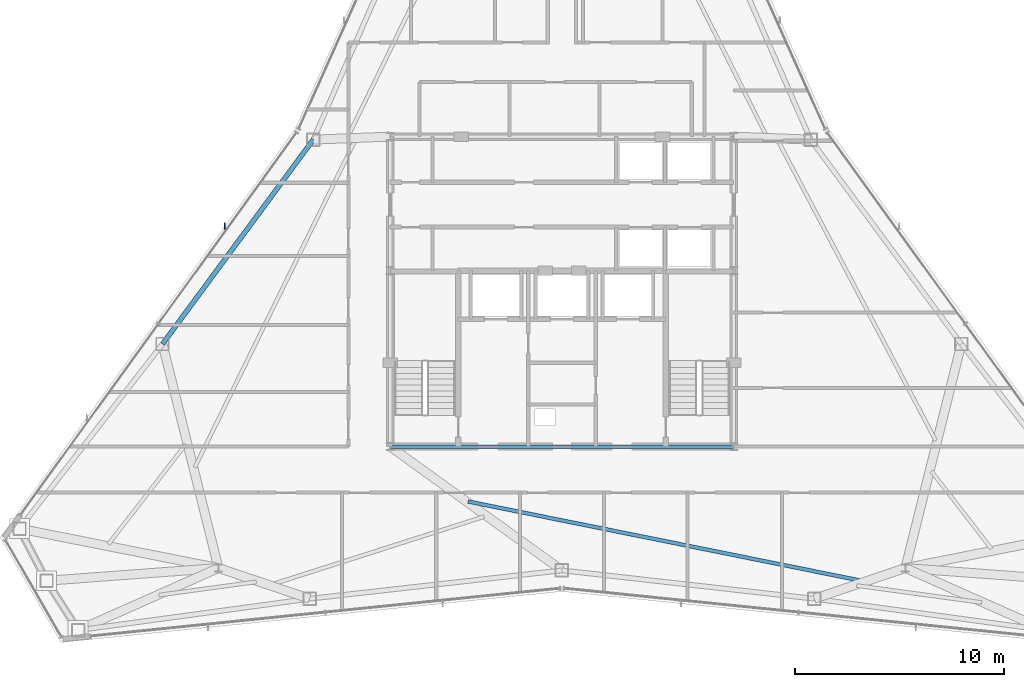
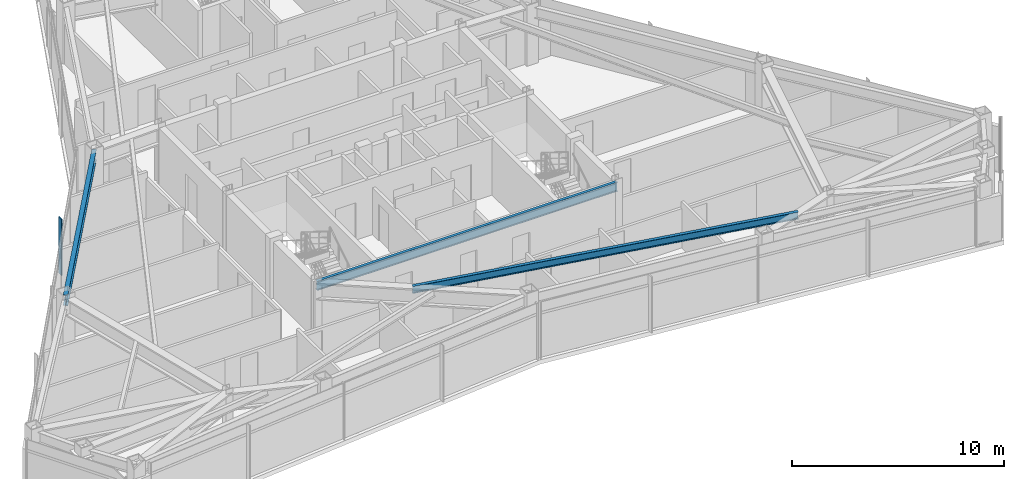
# One storey, part 4 of 12: 3 beams, 1 member, 1 element without a shape of its own.
"""IFC4 building model written with IfcOpenShell, lengths in metres."""

from ifc_helpers import new_model, si_unit, direction, frame, origin, origin_2d, place, context, subcontext, project, spatial, rectangle, i_section, extrude, source, transform, mapped, material, layer, layer_set, material_profile, profile_set, type_object, type_shapes, element, aggregate, save


model = new_model("IFC4")

# Units and contexts
model_context = context("Model", 3, precision=1e-05, world=origin(), true_north=direction((0.0, 1.0)))
body_context = subcontext(model_context, "Body", "Model", "MODEL_VIEW")
ifc_project = project(units=[si_unit("LENGTHUNIT", "METRE"), si_unit("AREAUNIT", "SQUARE_METRE"), si_unit("VOLUMEUNIT", "CUBIC_METRE"), si_unit("PLANEANGLEUNIT", "RADIAN"), si_unit("MASSUNIT", "GRAM", prefix="KILO")], contexts=[model_context])

# Site, building, storey
site_placement = place(None, origin())
site = spatial("IfcSite", under=ifc_project, at=site_placement, CompositionType="ELEMENT")
building_placement = place(site_placement, origin())
building = spatial("IfcBuilding", under=site, at=building_placement, Name="Varakhsha Concourse Tower", CompositionType="ELEMENT")
storey_placement = place(building_placement, frame((0.0, 0.0, 262.0)))
storey = spatial("IfcBuildingStorey", under=building, at=storey_placement, Name="L74", CompositionType="ELEMENT", Elevation=262.0)

# Beams
ifc_material_1 = material(Name="Structural Steel ASTM A992 Grade 50", Category="steel")
ifc_material_profile_1 = material_profile(ifc_material_1, i_section(OverallWidth=0.177978515625, OverallDepth=0.406982421875, WebThickness=0.008056640625, FlangeThickness=0.012939453125, at=origin_2d()), Name="W16X40")
ifc_profile_set_1 = profile_set([ifc_material_profile_1], Name="Structural Steel ASTM A992 Grade 50")
beam_type_1 = type_object("IfcBeamType", Name="BM-JST-W16X40", PredefinedType="JOIST", material=ifc_profile_set_1)
beam_1_placement = place(storey_placement, frame((35.515869140625, 13.77734375, 3.04638671875), z_axis=(0.980297103214, -0.197528705334, 0.0), x_axis=(0.197528705334, 0.980297103214, 0.0)))
element("IfcBeam", 1, at=beam_1_placement, inside=storey, type_object=beam_type_1, Name="BM-TJST-L74-11", PredefinedType="JOIST", context=body_context, shape_type="SweptSolid", body=[
    extrude(i_section(OverallWidth=0.177978515625, OverallDepth=0.406982421875, WebThickness=0.008056640625, FlangeThickness=0.012939453125, at=origin_2d()), origin(), (0.0, 0.0, 1.0), 19.24169921875),
])
ifc_material_profile_2 = material_profile(ifc_material_1, i_section(OverallWidth=0.1669921875, OverallDepth=0.534912109375, WebThickness=0.010009765625, FlangeThickness=0.01708984375, at=origin_2d()), Name="W21X57")
ifc_profile_set_2 = profile_set([ifc_material_profile_2], Name="Structural Steel ASTM A992 Grade 50")
beam_type_2 = type_object("IfcBeamType", Name="BM-RAD-W21X57", PredefinedType="BEAM", material=ifc_profile_set_2)
beam_2_placement = place(storey_placement, frame((31.800048828125, 16.39990234375, 2.982421875), z_axis=(1.0, 0.0, 0.0), x_axis=(0.0, 1.0, 0.0)))
element("IfcBeam", 2, at=beam_2_placement, inside=storey, type_object=beam_type_2, Name="BM-TCORE-L74-CS", PredefinedType="BEAM", context=body_context, shape_type="SweptSolid", body=[
    extrude(i_section(OverallWidth=0.1669921875, OverallDepth=0.534912109375, WebThickness=0.010009765625, FlangeThickness=0.01708984375, at=origin_2d()), origin(), (0.0, 0.0, 1.0), 16.39990234375),
])
ifc_material_profile_3 = material_profile(ifc_material_1, i_section(OverallWidth=0.22900390625, OverallDepth=0.612060546875, WebThickness=0.011962890625, FlangeThickness=0.02001953125, at=origin_2d()), Name="W24X84")
ifc_profile_set_3 = profile_set([ifc_material_profile_3], Name="Structural Steel ASTM A992 Grade 50")
beam_type_3 = type_object("IfcBeamType", Name="BM-SPAN-W24X84", PredefinedType="SPANDREL", material=ifc_profile_set_3)
beam_3_placement = place(storey_placement, frame((28.125732421875, 31.0556640625, 2.944091796875), z_axis=(-0.593635055484, -0.804734379097, 0.0), x_axis=(0.804734379097, -0.593635055484, 0.0)))
element("IfcBeam", 3, at=beam_3_placement, inside=storey, type_object=beam_type_3, Name="BM-SPAN-L74-05", PredefinedType="SPANDREL", context=body_context, shape_type="SweptSolid", body=[
    extrude(i_section(OverallWidth=0.22900390625, OverallDepth=0.612060546875, WebThickness=0.011962890625, FlangeThickness=0.02001953125, at=origin_2d()), origin(), (0.0, 0.0, 1.0), 12.126220703125),
])

# Curtain wall, member
ifc_material_2 = material(Name="Anodised Bronze Architectural Aluminium AA 6063-T6", Category="aluminium")
ifc_layer = layer(ifc_material_2, 0.199951171875, Name="CW-SYS-05")
ifc_layer_set = layer_set([ifc_layer], Name="Anodised Bronze Architectural Aluminium AA 6063-T6")
curtain_wall_type = type_object("IfcCurtainWallType", Name="CW-SYS-05", PredefinedType="NOTDEFINED", material=ifc_layer_set)
curtain_wall_placement = place(storey_placement, origin())
curtain_wall = element("IfcCurtainWall", 4, at=curtain_wall_placement, inside=storey, type_object=curtain_wall_type, Name="L74 Crystal Curtain Wall F3", PredefinedType="NOTDEFINED")
ifc_material_profile_4 = material_profile(ifc_material_2, rectangle(XDim=0.054931640625, YDim=0.300048828125, at=origin_2d()), Name="FIN-BRZ-300")
ifc_profile_set_4 = profile_set([ifc_material_profile_4], Name="Anodised Bronze Architectural Aluminium AA 6063-T6")
member_type = type_object("IfcMemberType", Name="FIN-BRZ-300", PredefinedType="USERDEFINED", material=ifc_profile_set_4)
shared_shape = source(origin(), body_context, "Body", "SweptSolid", [
    extrude(rectangle(XDim=0.054931640625, YDim=0.300048828125, at=origin_2d()), origin(), (0.0, 0.0, 1.0), 3.25),
])
type_shapes(member_type, [shared_shape])
member_placement = place(storey_placement, frame((23.89990234375, 26.92919921875, 0.0), z_axis=(0.0, 0.0, 1.0), x_axis=(1.0, 0.0, 0.0)))
member = element("IfcMember", 5, at=member_placement, type_object=member_type, Name="L74 Anodised Bronze Solar Fin F3-2", ObjectType="SOLAR FIN", PredefinedType="USERDEFINED", context=body_context, shape_type="MappedRepresentation", body=[
    mapped(shared_shape, transform((0.0, 0.0, 0.0), scale=1.0)),
])
aggregate(curtain_wall, [member])

save(model, "model.ifc")
